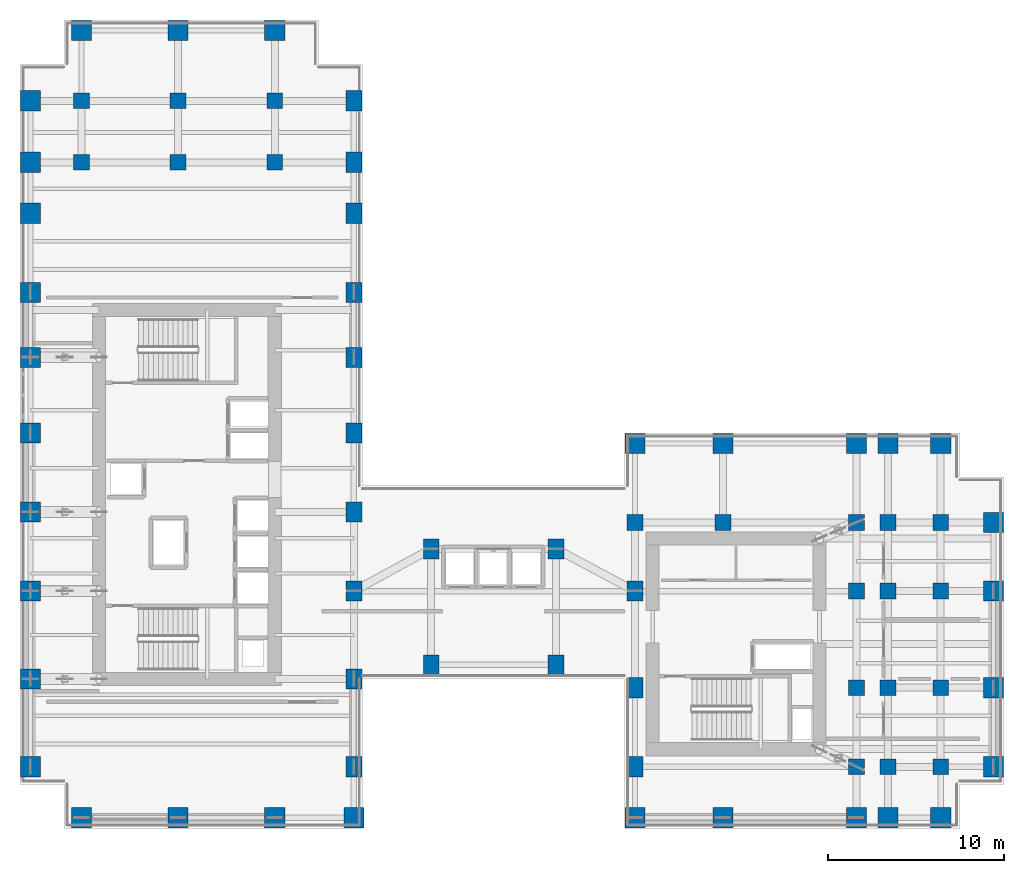
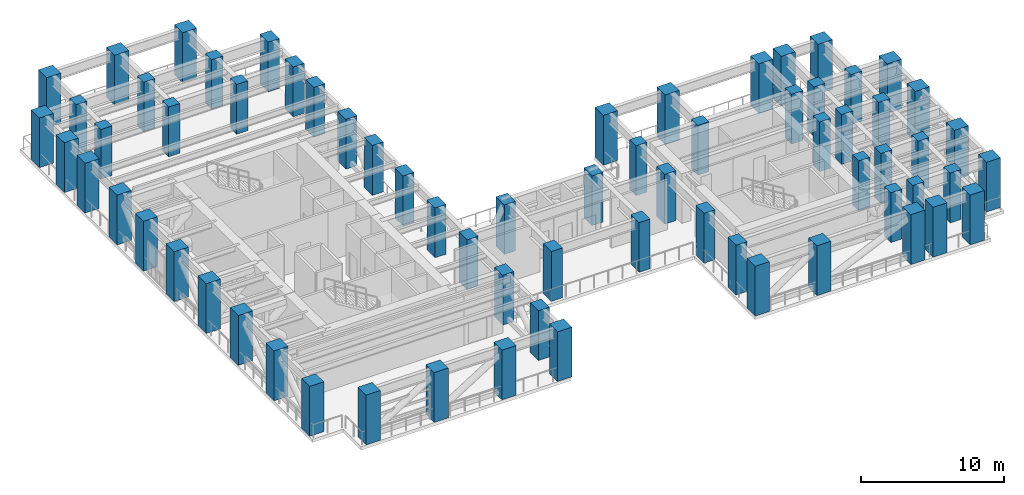
# One storey, part 1 of 16: 68 columns.
"""IFC4 building model written with IfcOpenShell, lengths in metres."""

from ifc_helpers import new_model, si_unit, direction, frame, origin, origin_2d, place, context, subcontext, project, spatial, rectangle, extrude, source, transform, mapped, material, material_profile, profile_set, type_object, element, save


model = new_model("IFC4")

# Units and contexts
model_context = context("Model", 3, precision=1e-05, world=origin(), true_north=direction((0.0, 1.0)))
body_context = subcontext(model_context, "Body", "Model", "MODEL_VIEW")
ifc_project = project(units=[si_unit("LENGTHUNIT", "METRE"), si_unit("AREAUNIT", "SQUARE_METRE"), si_unit("VOLUMEUNIT", "CUBIC_METRE"), si_unit("PLANEANGLEUNIT", "RADIAN"), si_unit("MASSUNIT", "GRAM", prefix="KILO")], contexts=[model_context])

# Site, building, storey
site_placement = place(None, origin())
site = spatial("IfcSite", under=ifc_project, at=site_placement, CompositionType="ELEMENT")
building_placement = place(site_placement, origin())
building = spatial("IfcBuilding", under=site, at=building_placement, Name="Kharzan Plaza Tower", CompositionType="ELEMENT")
storey_placement = place(building_placement, frame((0.0, 0.0, 138.60009765625)))
storey = spatial("IfcBuildingStorey", under=building, at=storey_placement, Name="L37", CompositionType="ELEMENT", Elevation=138.60009765625)

# Columns
ifc_material_1 = material(Name="Concrete C50/60", Category="concrete")
ifc_material_profile_1 = material_profile(ifc_material_1, rectangle(XDim=0.89990234375, YDim=0.89990234375, at=origin_2d()), Name="RC-IC900x900")
ifc_profile_set_1 = profile_set([ifc_material_profile_1], Name="Concrete C50/60")
column_type_1 = type_object("IfcColumnType", Name="COL-IC900", PredefinedType="COLUMN", material=ifc_profile_set_1)
shared_shape_1 = source(origin(), body_context, "Body", "SweptSolid", [
    extrude(rectangle(XDim=0.89990234375, YDim=0.89990234375, at=origin_2d()), origin(), (0.0, 0.0, 1.0), 4.260009765625),
])
for number, where, z_axis, x_axis, name in (
    (1, (47.60009765625, 13.5, 0.0), (0.0, 0.0, 1.0), (1.0, 0.0, 0.0), "L37 Structural Column TCBI-135"),
    (2, (47.60009765625, 3.5, 0.0), (0.0, 0.0, 1.0), (1.0, 0.0, 0.0), "L37 Structural Column TCBI-35"),
    (3, (47.60009765625, 8.0, 0.0), (0.0, 0.0, 1.0), (1.0, 0.0, 0.0), "L37 Structural Column TCBI-80"),
    (4, (35.0, 17.39990234375, 0.0), (0.0, 0.0, 1.0), (1.0, 0.0, 0.0), "L37 Structural Column TCBN-350-174"),
    (5, (40.0, 17.39990234375, 0.0), (0.0, 0.0, 1.0), (1.0, 0.0, 0.0), "L37 Structural Column TCBN-400-174"),
    (6, (47.60009765625, 17.39990234375, 0.0), (0.0, 0.0, 1.0), (1.0, 0.0, 0.0), "L37 Structural Column TCBN-476-174"),
    (7, (49.39990234375, 13.5, 0.0), (0.0, 0.0, 1.0), (1.0, 0.0, 0.0), "L37 Structural Column TCE-494-135"),
    (8, (49.39990234375, 17.39990234375, 0.0), (0.0, 0.0, 1.0), (1.0, 0.0, 0.0), "L37 Structural Column TCE-494-174"),
    (9, (49.39990234375, 3.5, 0.0), (0.0, 0.0, 1.0), (1.0, 0.0, 0.0), "L37 Structural Column TCE-494-35"),
    (10, (49.39990234375, 8.0, 0.0), (0.0, 0.0, 1.0), (1.0, 0.0, 0.0), "L37 Structural Column TCE-494-80"),
    (11, (52.39990234375, 13.5, 0.0), (0.0, 0.0, 1.0), (1.0, 0.0, 0.0), "L37 Structural Column TCE-524-135"),
    (12, (52.39990234375, 17.39990234375, 0.0), (0.0, 0.0, 1.0), (1.0, 0.0, 0.0), "L37 Structural Column TCE-524-174"),
    (13, (52.39990234375, 3.5, 0.0), (0.0, 0.0, 1.0), (1.0, 0.0, 0.0), "L37 Structural Column TCE-524-35"),
    (14, (52.39990234375, 8.0, 0.0), (0.0, 0.0, 1.0), (1.0, 0.0, 0.0), "L37 Structural Column TCE-524-80"),
    (15, (14.5, 37.89990234375, 0.0), (0.0, 0.0, 1.0), (1.0, 0.0, 0.0), "L37 Structural Column TCN-145-379"),
    (16, (14.5, 41.39990234375, 0.0), (0.0, 0.0, 1.0), (1.0, 0.0, 0.0), "L37 Structural Column TCN-145-414"),
    (17, (3.5, 37.89990234375, 0.0), (0.0, 0.0, 1.0), (1.0, 0.0, 0.0), "L37 Structural Column TCN-35-379"),
    (18, (3.5, 41.39990234375, 0.0), (0.0, 0.0, 1.0), (1.0, 0.0, 0.0), "L37 Structural Column TCN-35-414"),
    (19, (9.0, 37.89990234375, 0.0), (0.0, 0.0, 1.0), (1.0, 0.0, 0.0), "L37 Structural Column TCN-90-379"),
    (20, (9.0, 41.39990234375, 0.0), (0.0, 0.0, 1.0), (1.0, 0.0, 0.0), "L37 Structural Column TCN-90-414"),
):
    element("IfcColumn", number, at=place(storey_placement, frame(where, z_axis=z_axis, x_axis=x_axis)), inside=storey, type_object=column_type_1, Name=name, PredefinedType="COLUMN", context=body_context, shape_type="MappedRepresentation", body=[
        mapped(shared_shape_1, transform((0.0, 0.0, 0.0), x_axis=(1.0, 0.0, 0.0), y_axis=(0.0, 1.0, 0.0), z_axis=(0.0, 0.0, 1.0))),
    ])
ifc_material_2 = material(Name="Concrete C60/75", Category="concrete")
ifc_material_profile_2 = material_profile(ifc_material_2, rectangle(XDim=0.89990234375, YDim=1.14990234375, at=origin_2d()), Name="RC-SC1150x900")
ifc_profile_set_2 = profile_set([ifc_material_profile_2], Name="Concrete C60/75")
column_type_2 = type_object("IfcColumnType", Name="COL-SC1150", PredefinedType="COLUMN", material=ifc_profile_set_2)
shared_shape_2 = source(origin(), body_context, "Body", "SweptSolid", [
    extrude(rectangle(XDim=0.89990234375, YDim=1.14990234375, at=origin_2d()), origin(), (0.0, 0.0, 1.0), 4.260009765625),
])
for number, where, z_axis, x_axis, name in (
    (21, (19.0, 13.5, 0.0), (0.0, 0.0, 1.0), (1.0, 0.0, 0.0), "L37 Structural Column TCA-135"),
    (22, (19.0, 18.0, 0.0), (0.0, 0.0, 1.0), (1.0, 0.0, 0.0), "L37 Structural Column TCA-180"),
    (23, (19.0, 22.5, 0.0), (0.0, 0.0, 1.0), (1.0, 0.0, 0.0), "L37 Structural Column TCA-225"),
    (24, (19.0, 26.800048828125, 0.0), (0.0, 0.0, 1.0), (1.0, 0.0, 0.0), "L37 Structural Column TCA-268"),
    (25, (19.0, 30.5, 0.0), (0.0, 0.0, 1.0), (1.0, 0.0, 0.0), "L37 Structural Column TCA-305"),
    (26, (19.0, 3.5, 0.0), (0.0, 0.0, 1.0), (1.0, 0.0, 0.0), "L37 Structural Column TCA-35"),
    (27, (19.0, 35.0, 0.0), (0.0, 0.0, 1.0), (1.0, 0.0, 0.0), "L37 Structural Column TCA-350"),
    (28, (19.0, 37.89990234375, 0.0), (0.0, 0.0, 1.0), (1.0, 0.0, 0.0), "L37 Structural Column TCA-379"),
    (29, (19.0, 41.39990234375, 0.0), (0.0, 0.0, 1.0), (1.0, 0.0, 0.0), "L37 Structural Column TCA-414"),
    (30, (19.0, 8.5, 0.0), (0.0, 0.0, 1.0), (1.0, 0.0, 0.0), "L37 Structural Column TCA-85"),
    (31, (35.0, 13.5, 0.0), (0.0, 0.0, 1.0), (1.0, 0.0, 0.0), "L37 Structural Column TCBS-135"),
    (32, (35.0, 3.5, 0.0), (0.0, 0.0, 1.0), (1.0, 0.0, 0.0), "L37 Structural Column TCBS-35"),
    (33, (35.0, 8.0, 0.0), (0.0, 0.0, 1.0), (1.0, 0.0, 0.0), "L37 Structural Column TCBS-80"),
    (34, (23.39990234375, 15.89990234375, 0.0), (0.0, 0.0, 1.0), (1.0, 0.0, 0.0), "L37 Structural Column TCSP-234-159"),
    (35, (23.39990234375, 9.300048828125, 0.0), (0.0, 0.0, 1.0), (1.0, 0.0, 0.0), "L37 Structural Column TCSP-234-93"),
    (36, (30.5, 15.89990234375, 0.0), (0.0, 0.0, 1.0), (1.0, 0.0, 0.0), "L37 Structural Column TCSP-305-159"),
    (37, (30.5, 9.300048828125, 0.0), (0.0, 0.0, 1.0), (1.0, 0.0, 0.0), "L37 Structural Column TCSP-305-93"),
):
    element("IfcColumn", number, at=place(storey_placement, frame(where, z_axis=z_axis, x_axis=x_axis)), inside=storey, type_object=column_type_2, Name=name, PredefinedType="COLUMN", context=body_context, shape_type="MappedRepresentation", body=[
        mapped(shared_shape_2, transform((0.0, 0.0, 0.0), x_axis=(1.0, 0.0, 0.0), y_axis=(0.0, 1.0, 0.0), z_axis=(0.0, 0.0, 1.0))),
    ])
ifc_material_profile_3 = material_profile(ifc_material_2, rectangle(XDim=1.14990234375, YDim=1.14990234375, at=origin_2d()), Name="RC-TC1150x1150")
ifc_profile_set_3 = profile_set([ifc_material_profile_3], Name="Concrete C60/75")
column_type_3 = type_object("IfcColumnType", Name="COL-TC1150", PredefinedType="COLUMN", material=ifc_profile_set_3)
shared_shape_3 = source(origin(), body_context, "Body", "SweptSolid", [
    extrude(rectangle(XDim=1.14990234375, YDim=1.14990234375, at=origin_2d()), origin(), (0.0, 0.0, 1.0), 4.260009765625),
])
for number, where, z_axis, x_axis, name in (
    (38, (35.0, 21.89990234375, 0.0), (0.0, 0.0, 1.0), (1.0, 0.0, 0.0), "L37 Structural Column TCBN-350-219"),
    (39, (40.0, 21.89990234375, 0.0), (0.0, 0.0, 1.0), (1.0, 0.0, 0.0), "L37 Structural Column TCBN-400-219"),
    (40, (47.60009765625, 21.89990234375, 0.0), (0.0, 0.0, 1.0), (1.0, 0.0, 0.0), "L37 Structural Column TCBN-476-219"),
    (41, (49.39990234375, 21.89990234375, 0.0), (0.0, 0.0, 1.0), (1.0, 0.0, 0.0), "L37 Structural Column TCBN-494-219"),
    (42, (52.39990234375, 21.89990234375, 0.0), (0.0, 0.0, 1.0), (1.0, 0.0, 0.0), "L37 Structural Column TCBN-524-219"),
    (43, (55.39990234375, 13.5, 0.0), (0.0, 0.0, 1.0), (1.0, 0.0, 0.0), "L37 Structural Column TCE-554-135"),
    (44, (55.39990234375, 17.39990234375, 0.0), (0.0, 0.0, 1.0), (1.0, 0.0, 0.0), "L37 Structural Column TCE-554-174"),
    (45, (55.39990234375, 3.5, 0.0), (0.0, 0.0, 1.0), (1.0, 0.0, 0.0), "L37 Structural Column TCE-554-35"),
    (46, (55.39990234375, 8.0, 0.0), (0.0, 0.0, 1.0), (1.0, 0.0, 0.0), "L37 Structural Column TCE-554-80"),
    (47, (14.5, 45.39990234375, 0.0), (0.0, 0.0, 1.0), (1.0, 0.0, 0.0), "L37 Structural Column TCN-145-454"),
    (48, (3.5, 45.39990234375, 0.0), (0.0, 0.0, 1.0), (1.0, 0.0, 0.0), "L37 Structural Column TCN-35-454"),
    (49, (9.0, 45.39990234375, 0.0), (0.0, 0.0, 1.0), (1.0, 0.0, 0.0), "L37 Structural Column TCN-90-454"),
    (50, (14.5, 0.60009765625, 0.0), (0.0, 0.0, 1.0), (1.0, 0.0, 0.0), "L37 Structural Column TCS-145"),
    (51, (19.0, 0.60009765625, 0.0), (0.0, 0.0, 1.0), (1.0, 0.0, 0.0), "L37 Structural Column TCS-190"),
    (52, (3.5, 0.60009765625, 0.0), (0.0, 0.0, 1.0), (1.0, 0.0, 0.0), "L37 Structural Column TCS-35"),
    (53, (35.0, 0.60009765625, 0.0), (0.0, 0.0, 1.0), (1.0, 0.0, 0.0), "L37 Structural Column TCS-350"),
    (54, (40.0, 0.60009765625, 0.0), (0.0, 0.0, 1.0), (1.0, 0.0, 0.0), "L37 Structural Column TCS-400"),
    (55, (47.60009765625, 0.60009765625, 0.0), (0.0, 0.0, 1.0), (1.0, 0.0, 0.0), "L37 Structural Column TCS-476"),
    (56, (49.39990234375, 0.60009765625, 0.0), (0.0, 0.0, 1.0), (1.0, 0.0, 0.0), "L37 Structural Column TCS-494"),
    (57, (52.39990234375, 0.60009765625, 0.0), (0.0, 0.0, 1.0), (1.0, 0.0, 0.0), "L37 Structural Column TCS-524"),
    (58, (9.0, 0.60009765625, 0.0), (0.0, 0.0, 1.0), (1.0, 0.0, 0.0), "L37 Structural Column TCS-90"),
    (59, (0.60009765625, 13.5, 0.0), (0.0, 0.0, 1.0), (1.0, 0.0, 0.0), "L37 Structural Column TCW-135"),
    (60, (0.60009765625, 18.0, 0.0), (0.0, 0.0, 1.0), (1.0, 0.0, 0.0), "L37 Structural Column TCW-180"),
    (61, (0.60009765625, 22.5, 0.0), (0.0, 0.0, 1.0), (1.0, 0.0, 0.0), "L37 Structural Column TCW-225"),
    (62, (0.60009765625, 26.800048828125, 0.0), (0.0, 0.0, 1.0), (1.0, 0.0, 0.0), "L37 Structural Column TCW-268"),
    (63, (0.60009765625, 30.5, 0.0), (0.0, 0.0, 1.0), (1.0, 0.0, 0.0), "L37 Structural Column TCW-305"),
    (64, (0.60009765625, 3.5, 0.0), (0.0, 0.0, 1.0), (1.0, 0.0, 0.0), "L37 Structural Column TCW-35"),
    (65, (0.60009765625, 35.0, 0.0), (0.0, 0.0, 1.0), (1.0, 0.0, 0.0), "L37 Structural Column TCW-350"),
    (66, (0.60009765625, 37.89990234375, 0.0), (0.0, 0.0, 1.0), (1.0, 0.0, 0.0), "L37 Structural Column TCW-379"),
    (67, (0.60009765625, 41.39990234375, 0.0), (0.0, 0.0, 1.0), (1.0, 0.0, 0.0), "L37 Structural Column TCW-414"),
    (68, (0.60009765625, 8.5, 0.0), (0.0, 0.0, 1.0), (1.0, 0.0, 0.0), "L37 Structural Column TCW-85"),
):
    element("IfcColumn", number, at=place(storey_placement, frame(where, z_axis=z_axis, x_axis=x_axis)), inside=storey, type_object=column_type_3, Name=name, PredefinedType="COLUMN", context=body_context, shape_type="MappedRepresentation", body=[
        mapped(shared_shape_3, transform((0.0, 0.0, 0.0), x_axis=(1.0, 0.0, 0.0), y_axis=(0.0, 1.0, 0.0), z_axis=(0.0, 0.0, 1.0))),
    ])

save(model, "model.ifc")
